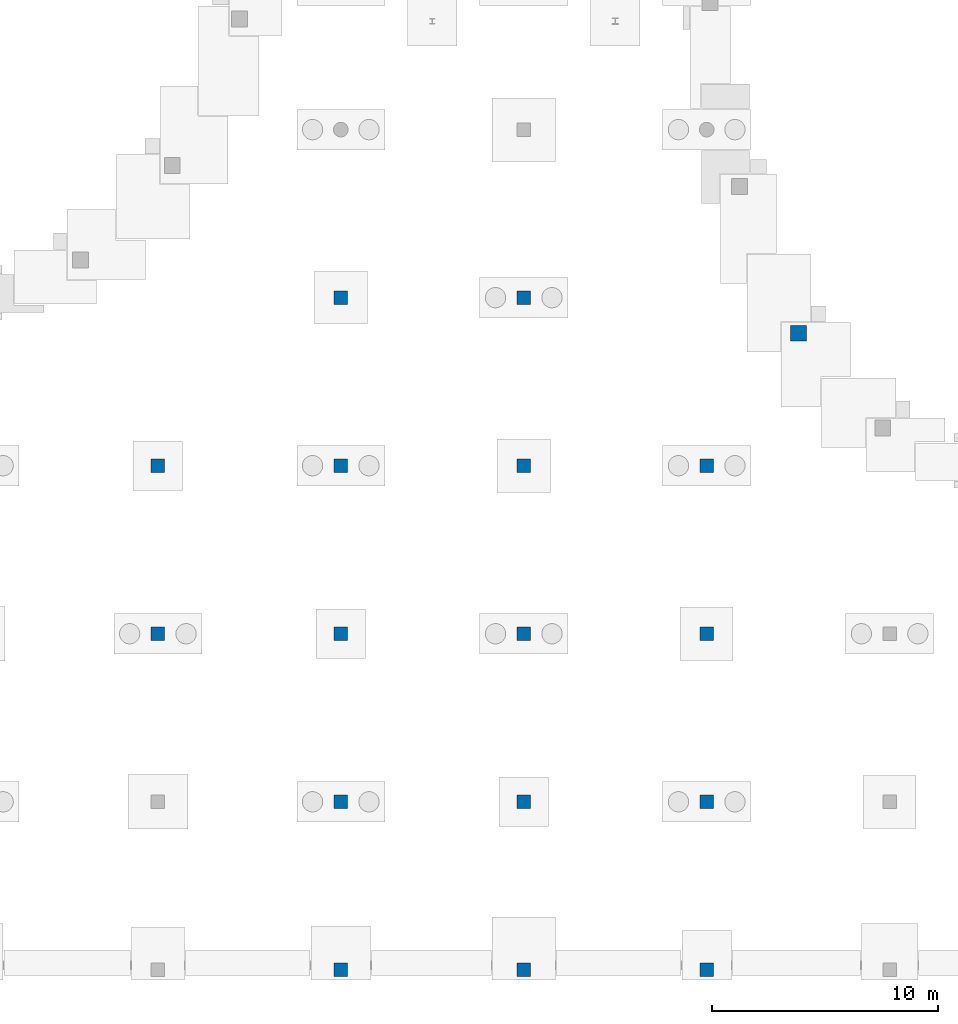
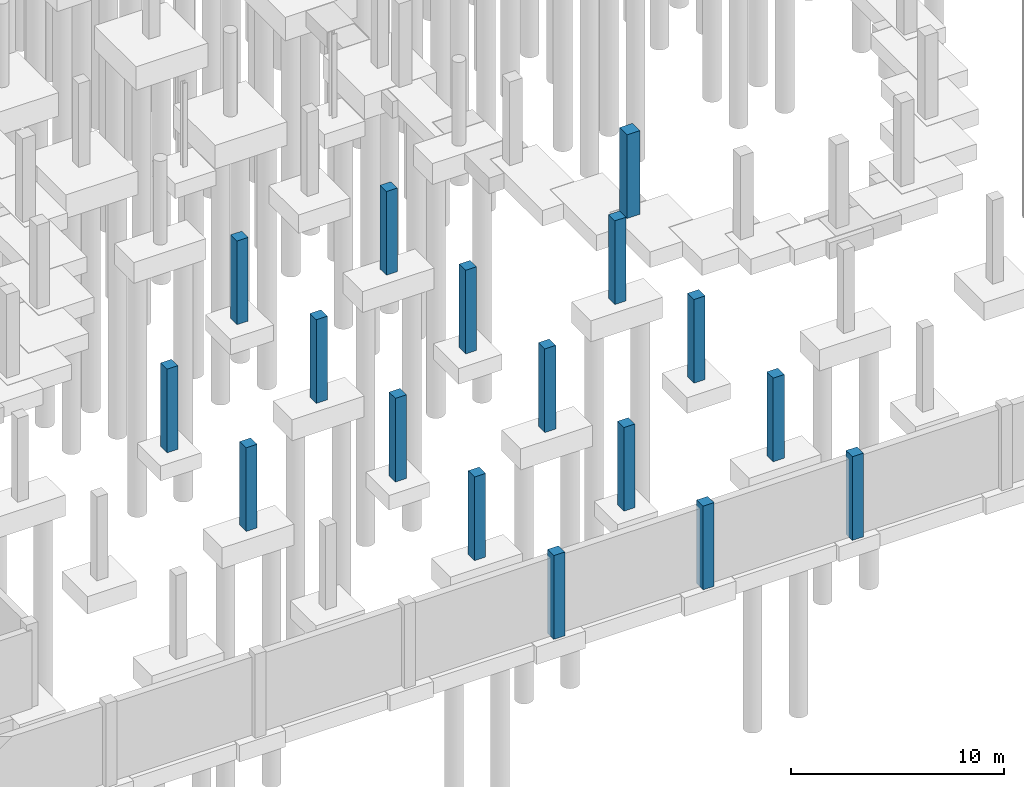
# One storey, part 15 of 37: 17 columns.
"""IFC4 building model written with IfcOpenShell, lengths in metres."""

from ifc_helpers import new_model, si_unit, direction, frame, origin, origin_2d, place, context, subcontext, project, spatial, rectangle, extrude, material, material_profile, profile_set, type_object, element, save


model = new_model("IFC4")

# Units and contexts
model_context = context("Model", 3, precision=1e-05, world=origin(), true_north=direction((0.0, 1.0)))
body_context = subcontext(model_context, "Body", "Model", "MODEL_VIEW")
ifc_project = project(units=[si_unit("LENGTHUNIT", "METRE"), si_unit("AREAUNIT", "SQUARE_METRE"), si_unit("VOLUMEUNIT", "CUBIC_METRE"), si_unit("PLANEANGLEUNIT", "RADIAN"), si_unit("MASSUNIT", "GRAM", prefix="KILO")], contexts=[model_context])

# Site, building, storey
site_placement = place(None, origin())
site = spatial("IfcSite", under=ifc_project, at=site_placement, CompositionType="ELEMENT")
building_placement = place(site_placement, origin())
building = spatial("IfcBuilding", under=site, at=building_placement, Name="Kaelora Sail Theatre", CompositionType="ELEMENT")
storey_placement = place(building_placement, frame((0.0, 0.0, -4.800048828125)))
storey = spatial("IfcBuildingStorey", under=building, at=storey_placement, Name="B1", CompositionType="ELEMENT", Elevation=-4.800048828125)

# Columns
ifc_material_1 = material(Name="Concrete C40/50", Category="concrete")
ifc_material_profile_1 = material_profile(ifc_material_1, rectangle(XDim=0.60009765625, YDim=0.60009765625, at=origin_2d()), Name="RC-COL 600x600")
ifc_profile_set_1 = profile_set([ifc_material_profile_1], Name="Concrete C40/50")
column_type_1 = type_object("IfcColumnType", Name="STR-COL-C-RC600", PredefinedType="COLUMN", material=ifc_profile_set_1)
for number, where, z_axis, x_axis, name in (
    (1, (98.699951171875, 16.3798828125, 0.0), (0.0, 0.0, 1.0), (1.0, 0.0, 0.0), "Column 13/C (B1)"),
    (2, (98.699951171875, 23.820068359375, 0.0), (0.0, 0.0, 1.0), (1.0, 0.0, 0.0), "Column 13/D (B1)"),
    (3, (106.800048828125, 1.5, 0.0), (0.0, 0.0, 1.0), (1.0, 0.0, 0.0), "Column 14/A (B1)"),
    (4, (106.800048828125, 8.93994140625, 0.0), (0.0, 0.0, 1.0), (1.0, 0.0, 0.0), "Column 14/B (B1)"),
    (5, (106.800048828125, 16.3798828125, 0.0), (0.0, 0.0, 1.0), (1.0, 0.0, 0.0), "Column 14/C (B1)"),
    (6, (106.800048828125, 23.820068359375, 0.0), (0.0, 0.0, 1.0), (1.0, 0.0, 0.0), "Column 14/D (B1)"),
    (7, (106.800048828125, 31.260009765625, 0.0), (0.0, 0.0, 1.0), (1.0, 0.0, 0.0), "Column 14/E (B1)"),
    (8, (114.89990234375, 1.5, 0.0), (0.0, 0.0, 1.0), (1.0, 0.0, 0.0), "Column 15/A (B1)"),
    (9, (114.89990234375, 8.93994140625, 0.0), (0.0, 0.0, 1.0), (1.0, 0.0, 0.0), "Column 15/B (B1)"),
    (10, (114.89990234375, 16.3798828125, 0.0), (0.0, 0.0, 1.0), (1.0, 0.0, 0.0), "Column 15/C (B1)"),
    (11, (114.89990234375, 23.820068359375, 0.0), (0.0, 0.0, 1.0), (1.0, 0.0, 0.0), "Column 15/D (B1)"),
    (12, (114.89990234375, 31.260009765625, 0.0), (0.0, 0.0, 1.0), (1.0, 0.0, 0.0), "Column 15/E (B1)"),
    (13, (123.0, 1.5, 0.0), (0.0, 0.0, 1.0), (1.0, 0.0, 0.0), "Column 16/A (B1)"),
    (14, (123.0, 8.93994140625, 0.0), (0.0, 0.0, 1.0), (1.0, 0.0, 0.0), "Column 16/B (B1)"),
    (15, (123.0, 16.3798828125, 0.0), (0.0, 0.0, 1.0), (1.0, 0.0, 0.0), "Column 16/C (B1)"),
    (16, (123.0, 23.820068359375, 0.0), (0.0, 0.0, 1.0), (1.0, 0.0, 0.0), "Column 16/D (B1)"),
):
    element("IfcColumn", number, at=place(storey_placement, frame(where, z_axis=z_axis, x_axis=x_axis)), inside=storey, type_object=column_type_1, Name=name, PredefinedType="COLUMN", context=body_context, shape_type="SweptSolid", body=[
        extrude(rectangle(XDim=0.60009765625, YDim=0.60009765625, at=origin_2d()), origin(), (0.0, 0.0, 1.0), 4.800048828125),
    ])
ifc_material_2 = material(Name="Concrete C45/55", Category="concrete")
ifc_material_profile_2 = material_profile(ifc_material_2, rectangle(XDim=0.699951171875, YDim=0.699951171875, at=origin_2d()), Name="RC-COL 700x700")
ifc_profile_set_2 = profile_set([ifc_material_profile_2], Name="Concrete C45/55")
column_type_2 = type_object("IfcColumnType", Name="STR-COL-C-RC700", PredefinedType="COLUMN", material=ifc_profile_set_2)
column_placement = place(storey_placement, frame((127.06640625, 29.6826171875, 0.0), z_axis=(0.0, 0.0, 1.0), x_axis=(1.0, 0.0, 0.0)))
element("IfcColumn", 17, at=column_placement, inside=storey, type_object=column_type_2, Name="Black-Box Theatre drum column K14 (B1)", PredefinedType="COLUMN", context=body_context, shape_type="SweptSolid", body=[
    extrude(rectangle(XDim=0.699951171875, YDim=0.699951171875, at=origin_2d()), origin(), (0.0, 0.0, 1.0), 4.800048828125),
])

save(model, "model.ifc")
